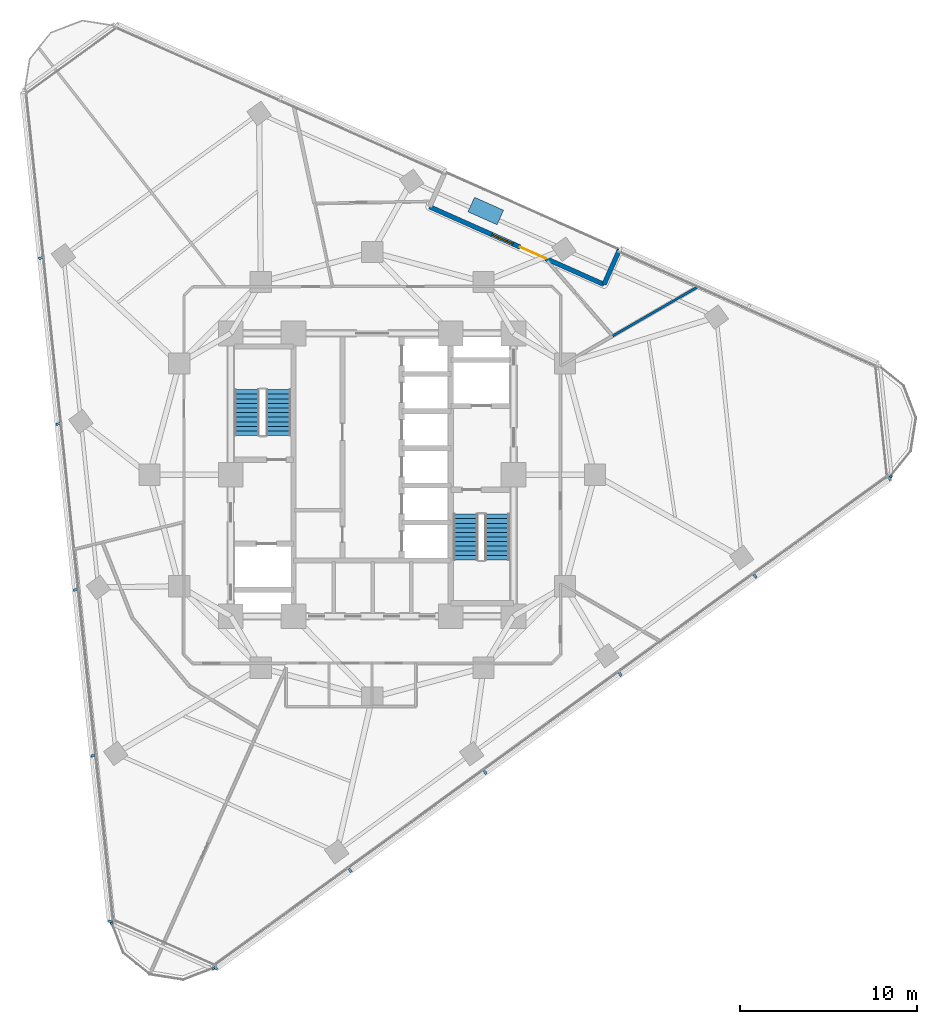
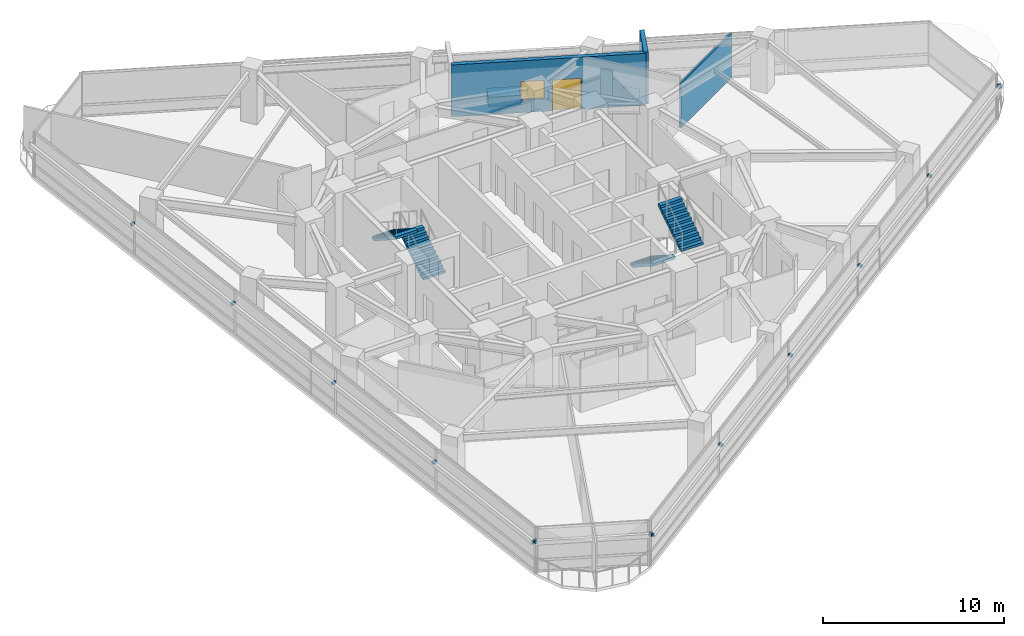
# One storey, part 10 of 14: 15 discrete accessories, 4 stair flights, 3 walls, 1 door, 1 window, 2 openings, 2 elements without a shape of their own.
"""IFC4 building model written with IfcOpenShell, lengths in metres."""

from ifc_helpers import new_model, si_unit, direction, frame, frame_2d, origin, origin_2d, place, context, subcontext, project, spatial, polyline, rectangle, outline, extrude, material, layer, layer_set, type_object, element, fill, aggregate, save


model = new_model("IFC4")

# Units and contexts
model_context = context("Model", 3, precision=1e-05, world=origin(), true_north=direction((0.0, 1.0)))
body_context = subcontext(model_context, "Body", "Model", "MODEL_VIEW")
ifc_project = project(units=[si_unit("LENGTHUNIT", "METRE"), si_unit("AREAUNIT", "SQUARE_METRE"), si_unit("VOLUMEUNIT", "CUBIC_METRE"), si_unit("PLANEANGLEUNIT", "RADIAN"), si_unit("MASSUNIT", "GRAM", prefix="KILO")], contexts=[model_context])

# Site, building, storey
site_placement = place(None, origin())
site = spatial("IfcSite", under=ifc_project, at=site_placement, CompositionType="ELEMENT")
building_placement = place(site_placement, origin())
building = spatial("IfcBuilding", under=site, at=building_placement, Name="Terralouvre Media Tower", CompositionType="ELEMENT")
storey_placement = place(building_placement, frame((0.0, 0.0, 176.800048828125)))
storey = spatial("IfcBuildingStorey", under=building, at=storey_placement, Name="L45", CompositionType="ELEMENT", Elevation=176.800048828125)

# Wall
ifc_material_1 = material(Name="Fire-rated gypsum board drywall partition")
ifc_layer_1 = layer(ifc_material_1, 0.135009765625, Name="Newsroom Acoustic Partition PT-135")
ifc_layer_set_1 = layer_set([ifc_layer_1], Name="Fire-rated gypsum board drywall partition")
wall_type_1 = type_object("IfcWallType", Name="Newsroom Acoustic Partition PT-135", PredefinedType="PARTITIONING", material=ifc_layer_set_1)
wall_1_placement = place(storey_placement, frame((18.460205078125, 10.658447265625, 0.0), z_axis=(0.0, 0.0, 1.0), x_axis=(-0.865978736514, -0.500080821373, 0.0)))
element("IfcWall", 1, at=wall_1_placement, inside=storey, type_object=wall_type_1, Name="L45 Interior Partition 033", PredefinedType="PARTITIONING", context=body_context, shape_type="SweptSolid", body=[
    extrude(rectangle(XDim=5.60205078125, YDim=0.135009765625, at=frame_2d((2.801025390625, 0.0))), origin(), (0.0, 0.0, 1.0), 2.98486328125),
])

# Wall, openings, window, door
ifc_material_2 = material(Name="Kiln-fired architectural terracotta rainscreen cladding", Category="masonry")
ifc_layer_2 = layer(ifc_material_2, 0.260009765625, Name="Recessed Sky-Garden Acoustic Wall EW-SG260")
ifc_layer_set_2 = layer_set([ifc_layer_2], Name="Kiln-fired architectural terracotta rainscreen cladding")
wall_type_2 = type_object("IfcWallType", Name="Recessed Sky-Garden Acoustic Wall EW-SG260", PredefinedType="SOLIDWALL", material=ifc_layer_set_2)
wall_2_placement = place(storey_placement, frame((13.115478515625, 10.772216796875, 0.0), z_axis=(0.0, 0.0, 1.0), x_axis=(-0.913545683247, 0.406736136359, 0.0)))
wall_2 = element("IfcWall", 2, at=wall_2_placement, inside=storey, type_object=wall_type_2, Name="L45 SG Recessed Loggia Back Wall", PredefinedType="SOLIDWALL", context=body_context, shape_type="SweptSolid", body=[
    extrude(rectangle(XDim=10.80029296875, YDim=0.260009765625, at=frame_2d((5.400146484375, 0.0))), origin(), (0.0, 0.0, 1.0), 3.5),
])
opening_1_placement = place(wall_2_placement, frame((3.60009765625, 0.0, 0.0)))
opening_1 = element("IfcOpeningElement", 3, at=opening_1_placement, cuts=wall_2, Name="Opening TD-01", PredefinedType="OPENING", context=body_context, shape_type="SweptSolid", body=[
    extrude(rectangle(XDim=1.60009765625, YDim=2.080078125, at=frame_2d((0.800048828125, 1.0400390625))), frame((0.0, 0.139892578125, 0.0), z_axis=(0.0, -1.0, 0.0), x_axis=(1.0, 0.0, 0.0)), (0.0, 0.0, 1.0), 0.280029296875),
])
opening_2_placement = place(wall_2_placement, frame((5.64990234375, 0.0, 0.85009765625)))
opening_2 = element("IfcOpeningElement", 4, at=opening_2_placement, cuts=wall_2, Name="Opening W-03", PredefinedType="OPENING", context=body_context, shape_type="SweptSolid", body=[
    extrude(rectangle(XDim=1.300048828125, YDim=1.25, at=frame_2d((0.64990234375, 0.625))), frame((0.0, 0.139892578125, 0.0), z_axis=(0.0, -1.0, 0.0), x_axis=(1.0, 0.0, 0.0)), (0.0, 0.0, 1.0), 0.280029296875),
])
ifc_material_3 = material(Name="Low-iron laminated double glazing with solar-control coating", Category="glass")
window_type = type_object("IfcWindowType", Name="Sky-Garden Loggia Window W-03", PartitioningType="SINGLE_PANEL", PredefinedType="WINDOW", material=ifc_material_3)
window_placement = place(opening_2_placement, origin())
window = element("IfcWindow", 5, at=window_placement, inside=storey, type_object=window_type, Name="L45 Pocket Loggia Window 1", OverallHeight=1.25, OverallWidth=1.300048828125, PartitioningType="SINGLE_PANEL", PredefinedType="WINDOW", context=body_context, shape_type="SweptSolid", body=[
    extrude(rectangle(XDim=1.300048828125, YDim=1.25, at=frame_2d((0.64990234375, 0.625))), frame((0.0, 0.030029296875, 0.0), z_axis=(0.0, -1.0, 0.0), x_axis=(1.0, 0.0, 0.0)), (0.0, 0.0, 1.0), 0.06005859375),
])
fill(opening_2, window)
ifc_material_4 = material(Name="Anodised extruded aluminium 6063-T6", Category="aluminium")
door_type = type_object("IfcDoorType", Name="Sky-Garden Terrace Double Door TD-01", OperationType="DOUBLE_DOOR_SLIDING", PredefinedType="DOOR", material=ifc_material_4)
door_placement = place(opening_1_placement, frame((1.60009765625, 0.0, 0.0), z_axis=(0.0, 0.0, 1.0), x_axis=(-1.0, 0.0, 0.0)))
door = element("IfcDoor", 6, at=door_placement, inside=storey, type_object=door_type, Name="L45 Sky-Garden Terrace Door", OperationType="DOUBLE_DOOR_SLIDING", OverallHeight=2.080078125, OverallWidth=1.60009765625, PredefinedType="DOOR", context=body_context, shape_type="SweptSolid", body=[
    extrude(rectangle(XDim=1.60009765625, YDim=2.080078125, at=frame_2d((0.800048828125, 1.0400390625))), frame((0.0, 0.02490234375, 0.0), z_axis=(0.0, -1.0, 0.0), x_axis=(1.0, 0.0, 0.0)), (0.0, 0.0, 1.0), 0.050048828125),
])
fill(opening_1, door)

# Wall
wall_3_placement = place(storey_placement, frame((13.98974609375, 12.736328125, 0.0), z_axis=(0.0, 0.0, 1.0), x_axis=(-0.406654684815, -0.913581943406, 0.0)))
element("IfcWall", 7, at=wall_3_placement, inside=storey, type_object=wall_type_2, Name="L45 SG Pocket Left Cheek Wall", PredefinedType="SOLIDWALL", context=body_context, shape_type="SweptSolid", body=[
    extrude(rectangle(XDim=2.14990234375, YDim=0.260009765625, at=frame_2d((1.074951171875, 0.0))), origin(), (0.0, 0.0, 1.0), 3.5),
])

# Stair, stair flights
ifc_material_5 = material(Name="Concrete C45/55", Category="concrete")
stair_type_1 = type_object("IfcStairType", Name="Dogleg Stair Assembly ST-01", PredefinedType="HALF_TURN_STAIR", material=ifc_material_5)
stair_1_placement = place(storey_placement, origin())
stair_1 = element("IfcStair", 8, at=stair_1_placement, inside=storey, type_object=stair_type_1, Name="L45 Core Pressurised Exit Stair ST-01", PredefinedType="HALF_TURN_STAIR")
ifc_material_6 = material(Name="Concrete C45/55", Category="concrete")
stair_flight_type = type_object("IfcStairFlightType", Name="Reinforced Concrete Stair Flight SF-RC1", PredefinedType="STRAIGHT", material=ifc_material_6)
stair_flight_1_placement = place(storey_placement, frame((-5.300048828125, 2.219970703125, 0.0), z_axis=(0.0, 0.0, 1.0), x_axis=(0.0, 1.0, 0.0)))
stair_flight_1 = element("IfcStairFlight", 9, at=stair_flight_1_placement, type_object=stair_flight_type, Name="ST-01 flight 1", NumberOfRisers=11, NumberOfTreads=10, PredefinedType="STRAIGHT", RiserHeight=0.168181818, TreadLength=0.26, context=body_context, shape_type="SweptSolid", body=[
    extrude(outline(polyline([(0.0, 0.0), (0.0, 0.168212890625), (0.260009765625, 0.168212890625), (0.260009765625, 0.33642578125), (0.52001953125, 0.33642578125), (0.52001953125, 0.504638671875), (0.780029296875, 0.504638671875), (0.780029296875, 0.672607421875), (1.0400390625, 0.672607421875), (1.0400390625, 0.8408203125), (1.300048828125, 0.8408203125), (1.300048828125, 1.009033203125), (1.56005859375, 1.009033203125), (1.56005859375, 1.17724609375), (1.820068359375, 1.17724609375), (1.820068359375, 1.345458984375), (2.080078125, 1.345458984375), (2.080078125, 1.513671875), (2.340087890625, 1.513671875), (2.340087890625, 1.681884765625), (2.60009765625, 1.681884765625), (2.60009765625, 1.85009765625), (2.60009765625, 1.503173828125), (0.27587890625, 0.0), (0.0, 0.0)])), frame((0.0, 0.699951171875, 0.0), z_axis=(0.0, -1.0, 0.0), x_axis=(1.0, 0.0, 0.0)), (0.0, 0.0, 1.0), 1.39990234375),
])
stair_flight_2_placement = place(storey_placement, frame((-7.080078125, 4.820068359375, 1.849853515625), z_axis=(0.0, 0.0, 1.0), x_axis=(0.0, -1.0, 0.0)))
stair_flight_2 = element("IfcStairFlight", 10, at=stair_flight_2_placement, type_object=stair_flight_type, Name="ST-01 flight 2", NumberOfRisers=11, NumberOfTreads=10, PredefinedType="STRAIGHT", RiserHeight=0.168181818, TreadLength=0.26, context=body_context, shape_type="SweptSolid", body=[
    extrude(outline(polyline([(0.0, 0.0), (0.0, 0.168212890625), (0.260009765625, 0.168212890625), (0.260009765625, 0.33642578125), (0.52001953125, 0.33642578125), (0.52001953125, 0.504638671875), (0.780029296875, 0.504638671875), (0.780029296875, 0.672607421875), (1.0400390625, 0.672607421875), (1.0400390625, 0.8408203125), (1.300048828125, 0.8408203125), (1.300048828125, 1.009033203125), (1.56005859375, 1.009033203125), (1.56005859375, 1.17724609375), (1.820068359375, 1.17724609375), (1.820068359375, 1.345458984375), (2.080078125, 1.345458984375), (2.080078125, 1.513671875), (2.340087890625, 1.513671875), (2.340087890625, 1.681884765625), (2.60009765625, 1.681884765625), (2.60009765625, 1.85009765625), (2.60009765625, 1.503173828125), (0.27587890625, 0.0), (0.0, 0.0)])), frame((0.0, 0.699951171875, 0.0), z_axis=(0.0, -1.0, 0.0), x_axis=(1.0, 0.0, 0.0)), (0.0, 0.0, 1.0), 1.39990234375),
])
aggregate(stair_1, [stair_flight_1, stair_flight_2])

ifc_material_7 = material(Name="Concrete C45/55", Category="concrete")
stair_type_2 = type_object("IfcStairType", Name="Dogleg Stair Assembly ST-02", PredefinedType="HALF_TURN_STAIR", material=ifc_material_7)
stair_2_placement = place(storey_placement, origin())
stair_2 = element("IfcStair", 11, at=stair_2_placement, inside=storey, type_object=stair_type_2, Name="L45 Core Pressurised Exit Stair ST-02", PredefinedType="HALF_TURN_STAIR")
stair_flight_3_placement = place(storey_placement, frame((5.300048828125, -2.219970703125, 0.0), z_axis=(0.0, 0.0, 1.0), x_axis=(0.0, -1.0, 0.0)))
stair_flight_3 = element("IfcStairFlight", 12, at=stair_flight_3_placement, type_object=stair_flight_type, Name="ST-02 flight 1", NumberOfRisers=11, NumberOfTreads=10, PredefinedType="STRAIGHT", RiserHeight=0.168181818, TreadLength=0.26, context=body_context, shape_type="SweptSolid", body=[
    extrude(outline(polyline([(0.0, 0.0), (0.0, 0.168212890625), (0.260009765625, 0.168212890625), (0.260009765625, 0.33642578125), (0.52001953125, 0.33642578125), (0.52001953125, 0.504638671875), (0.780029296875, 0.504638671875), (0.780029296875, 0.672607421875), (1.0400390625, 0.672607421875), (1.0400390625, 0.8408203125), (1.300048828125, 0.8408203125), (1.300048828125, 1.009033203125), (1.56005859375, 1.009033203125), (1.56005859375, 1.17724609375), (1.820068359375, 1.17724609375), (1.820068359375, 1.345458984375), (2.080078125, 1.345458984375), (2.080078125, 1.513671875), (2.340087890625, 1.513671875), (2.340087890625, 1.681884765625), (2.60009765625, 1.681884765625), (2.60009765625, 1.85009765625), (2.60009765625, 1.503173828125), (0.27587890625, 0.0), (0.0, 0.0)])), frame((0.0, 0.699951171875, 0.0), z_axis=(0.0, -1.0, 0.0), x_axis=(1.0, 0.0, 0.0)), (0.0, 0.0, 1.0), 1.39990234375),
])
stair_flight_4_placement = place(storey_placement, frame((7.080078125, -4.820068359375, 1.849853515625), z_axis=(0.0, 0.0, 1.0), x_axis=(0.0, 1.0, 0.0)))
stair_flight_4 = element("IfcStairFlight", 13, at=stair_flight_4_placement, type_object=stair_flight_type, Name="ST-02 flight 2", NumberOfRisers=11, NumberOfTreads=10, PredefinedType="STRAIGHT", RiserHeight=0.168181818, TreadLength=0.26, context=body_context, shape_type="SweptSolid", body=[
    extrude(outline(polyline([(0.0, 0.0), (0.0, 0.168212890625), (0.260009765625, 0.168212890625), (0.260009765625, 0.33642578125), (0.52001953125, 0.33642578125), (0.52001953125, 0.504638671875), (0.780029296875, 0.504638671875), (0.780029296875, 0.672607421875), (1.0400390625, 0.672607421875), (1.0400390625, 0.8408203125), (1.300048828125, 0.8408203125), (1.300048828125, 1.009033203125), (1.56005859375, 1.009033203125), (1.56005859375, 1.17724609375), (1.820068359375, 1.17724609375), (1.820068359375, 1.345458984375), (2.080078125, 1.345458984375), (2.080078125, 1.513671875), (2.340087890625, 1.513671875), (2.340087890625, 1.681884765625), (2.60009765625, 1.681884765625), (2.60009765625, 1.85009765625), (2.60009765625, 1.503173828125), (0.27587890625, 0.0), (0.0, 0.0)])), frame((0.0, 0.699951171875, 0.0), z_axis=(0.0, -1.0, 0.0), x_axis=(1.0, 0.0, 0.0)), (0.0, 0.0, 1.0), 1.39990234375),
])
aggregate(stair_2, [stair_flight_3, stair_flight_4])

# Discrete accessories
ifc_material_8 = material(Name="Anodised extruded aluminium 6063-T6", Category="aluminium")
discrete_accessory_type_1 = type_object("IfcDiscreteAccessoryType", Name="Mullion Stand-Off Baguette Fixing Bracket BK-01", PredefinedType="BRACKET", material=ifc_material_8)
for number, where, z_axis, x_axis, name in (
    (14, (-8.855224609375, -27.898681640625, 2.07421875), (0.0, 0.0, 1.0), (0.809016917383, 0.587785358263, 0.0), "CW-L45-F0 Baguette Outrigger Bracket 1.01"),
    (15, (-1.24853515625, -22.3720703125, 2.07421875), (0.0, 0.0, 1.0), (0.809016917383, 0.587785358263, 0.0), "CW-L45-F0 Baguette Outrigger Bracket 1.02"),
    (16, (6.388671875, -16.8232421875, 2.07421875), (0.0, 0.0, 1.0), (0.809016917383, 0.587785358263, 0.0), "CW-L45-F0 Baguette Outrigger Bracket 1.03"),
    (17, (14.025634765625, -11.274658203125, 2.07421875), (0.0, 0.0, 1.0), (0.809016917383, 0.587785358263, 0.0), "CW-L45-F0 Baguette Outrigger Bracket 1.04"),
    (18, (21.662841796875, -5.725830078125, 2.07421875), (0.0, 0.0, 1.0), (0.809016917383, 0.587785358263, 0.0), "CW-L45-F0 Baguette Outrigger Bracket 1.05"),
    (19, (29.26953125, -0.19921875, 2.07421875), (0.0, 0.0, 1.0), (0.809016917383, 0.587785358263, 0.0), "CW-L45-F0 Baguette Outrigger Bracket 1.06"),
    (20, (-18.75048828125, 12.267333984375, 2.07421875), (0.0, 0.0, 1.0), (0.104528376236, -0.994521904516, 0.0), "CW-L45-F2 Baguette Outrigger Bracket 1.02"),
    (21, (-17.763671875, 2.87890625, 2.07421875), (0.0, 0.0, 1.0), (0.104528376236, -0.994521904516, 0.0), "CW-L45-F2 Baguette Outrigger Bracket 1.03"),
    (22, (-16.77685546875, -6.50927734375, 2.07421875), (0.0, 0.0, 1.0), (0.104528376236, -0.994521904516, 0.0), "CW-L45-F2 Baguette Outrigger Bracket 1.04"),
    (23, (-15.790283203125, -15.897705078125, 2.07421875), (0.0, 0.0, 1.0), (0.104528376236, -0.994521904516, 0.0), "CW-L45-F2 Baguette Outrigger Bracket 1.05"),
    (24, (-14.807373046875, -25.24853515625, 2.07421875), (0.0, 0.0, 1.0), (0.104528376236, -0.994521904516, 0.0), "CW-L45-F2 Baguette Outrigger Bracket 1.06"),
    (25, (-14.737548828125, -25.315185546875, 2.07421875), (0.0, 0.0, 1.0), (0.913545408199, -0.406736754128, 0.0), "CW-L45-C0 Baguette Outrigger Bracket 1.01"),
    (26, (-8.95166015625, -27.891357421875, 2.07421875), (0.0, 0.0, 1.0), (0.913545408199, -0.406736754128, 0.0), "CW-L45-C0 Baguette Outrigger Bracket 1.02"),
    (27, (29.29248046875, -0.10546875, 2.07421875), (0.0, 0.0, 1.0), (-0.10452850319, 0.994521891172, 0.0), "CW-L45-C1 Baguette Outrigger Bracket 1.01"),
):
    element("IfcDiscreteAccessory", number, at=place(storey_placement, frame(where, z_axis=z_axis, x_axis=x_axis)), inside=storey, type_object=discrete_accessory_type_1, Name=name, PredefinedType="BRACKET", context=body_context, shape_type="SweptSolid", body=[
        extrude(rectangle(XDim=0.139892578125, YDim=0.239990234375, at=origin_2d()), origin(), (0.0, 0.0, 1.0), 0.179931640625),
    ])
ifc_material_9 = material(Name="Kiln-fired architectural terracotta rainscreen cladding", Category="masonry")
discrete_accessory_type_2 = type_object("IfcDiscreteAccessoryType", Name="Planted Tropical Garden Bed Planter PLT-01", PredefinedType="USERDEFINED", material=ifc_material_9)
discrete_accessory_placement = place(storey_placement, frame((6.427001953125, 14.927001953125, -0.0048828125), z_axis=(0.0, 0.0, 1.0), x_axis=(-0.913545249311, 0.406737110995, 0.0)))
element("IfcDiscreteAccessory", 28, at=discrete_accessory_placement, inside=storey, type_object=discrete_accessory_type_2, Name="L45 SG Planted Garden Bed Planter", ObjectType="PLANTER", PredefinedType="USERDEFINED", context=body_context, shape_type="SweptSolid", body=[
    extrude(rectangle(XDim=1.800048828125, YDim=0.89990234375, at=origin_2d()), origin(), (0.0, 0.0, 1.0), 0.64990234375),
])

save(model, "model.ifc")
